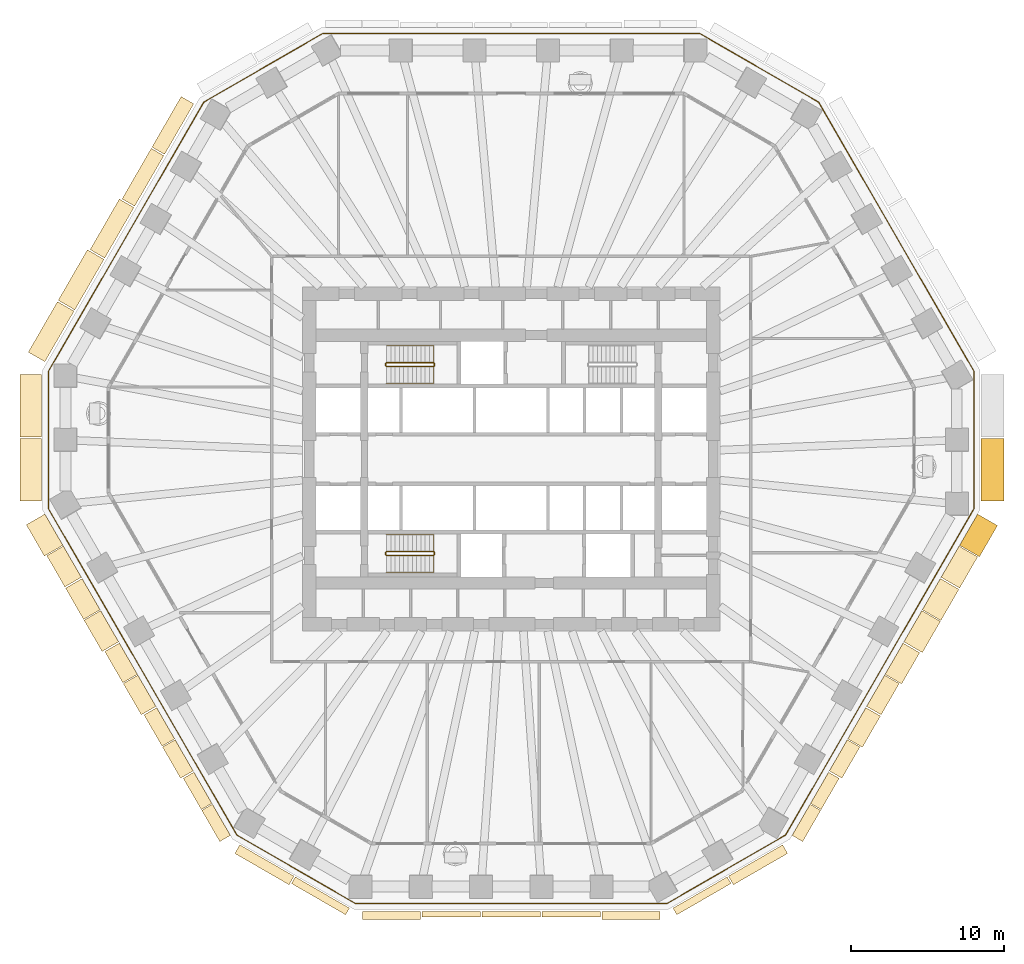
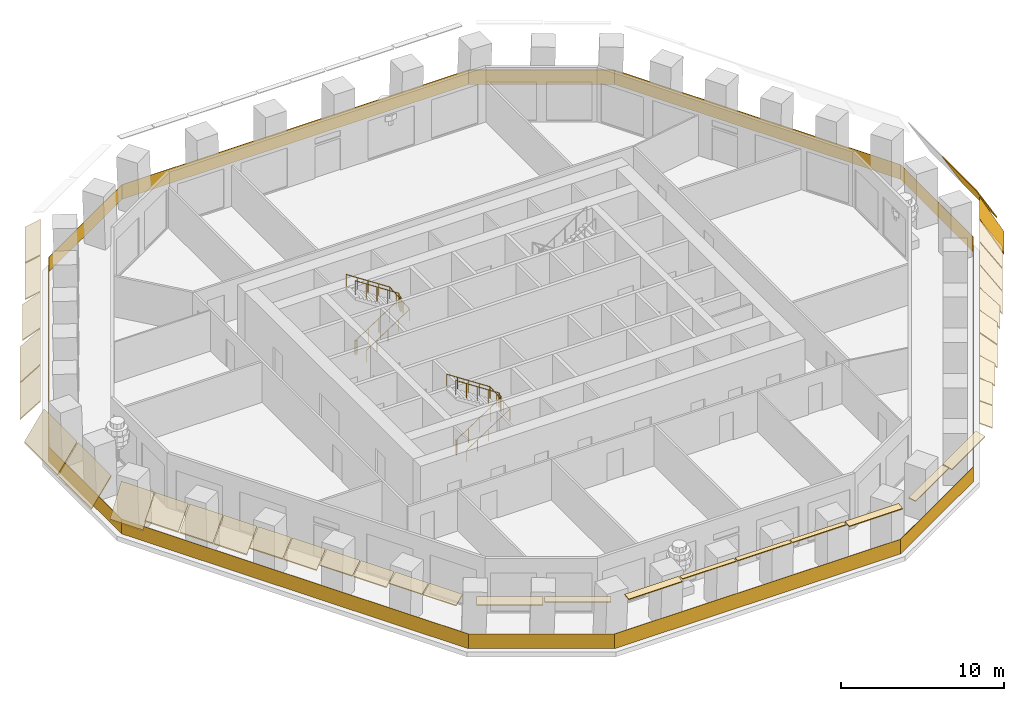
# One storey, part 9 of 12: 37 coverings, 5 railings.
"""IFC4 building model written with IfcOpenShell, lengths in metres."""

from ifc_helpers import new_model, si_unit, direction, frame, origin, origin_2d, place, context, subcontext, project, spatial, polyline, rectangle, circle, outline, extrude, material, layer, layer_set, type_object, element, save


model = new_model("IFC4")

# Units and contexts
model_context = context("Model", 3, precision=1e-05, world=origin(), true_north=direction((0.0, 1.0)))
body_context = subcontext(model_context, "Body", "Model", "MODEL_VIEW")
ifc_project = project(units=[si_unit("LENGTHUNIT", "METRE"), si_unit("AREAUNIT", "SQUARE_METRE"), si_unit("VOLUMEUNIT", "CUBIC_METRE"), si_unit("PLANEANGLEUNIT", "RADIAN"), si_unit("MASSUNIT", "GRAM", prefix="KILO")], contexts=[model_context])

# Site, building, storey
site_placement = place(None, origin())
site = spatial("IfcSite", under=ifc_project, at=site_placement, CompositionType="ELEMENT")
building_placement = place(site_placement, origin())
building = spatial("IfcBuilding", under=site, at=building_placement, Name="Frailejon Research Tower", CompositionType="ELEMENT")
storey_placement = place(building_placement, frame((0.0, 0.0, 54.199951171875)))
storey = spatial("IfcBuildingStorey", under=building, at=storey_placement, Name="L12", CompositionType="ELEMENT", Elevation=54.199951171875)

# Coverings
ifc_material_1 = material(Name="Precast concrete C50/60", Category="concrete")
ifc_layer_1 = layer(ifc_material_1, 0.06005859375)
ifc_layer_set_1 = layer_set([ifc_layer_1], Name="Brim blade depth 1100")
covering_type_1 = type_object("IfcCoveringType", Name="Brim blade depth 1100", PredefinedType="CLADDING", material=ifc_layer_set_1)
covering_1_placement = place(storey_placement, frame((-26.572509765625, 13.140380859375, 4.25), z_axis=(0.500001217064, 0.866024701111, 0.0), x_axis=(-0.866024701111, 0.500001217064, 0.0)))
element("IfcCovering", 1, at=covering_1_placement, inside=storey, type_object=covering_type_1, Name="Brim blade L12", PredefinedType="CLADDING", context=body_context, shape_type="SweptSolid", body=[
    extrude(outline(polyline([(0.0, -0.078369140625), (1.10009765625, -1.001220703125), (1.10009765625, -0.923095703125), (0.0, 0.0), (0.0, -0.078369140625)])), origin(), (0.0, 0.0, 1.0), 3.8125),
])
for number, where, z_axis, x_axis, name in (
    (2, (-24.43701171875, -14.073974609375, 4.25), (-0.50000563012, 0.866022153209, 0.0), (-0.866022153209, -0.50000563012, 0.0), "Brim blade L12"),
    (3, (-23.229248046875, -16.165771484375, 4.25), (-0.50000563012, 0.866022153209, 0.0), (-0.866022153209, -0.50000563012, 0.0), "Brim blade L12"),
    (4, (23.17919921875, -16.252197265625, 4.25), (-0.499996739973, -0.866027285954, 0.0), (0.866027285954, -0.499996739973, 0.0), "Brim blade L12"),
    (5, (24.406982421875, -14.1259765625, 4.25), (-0.50000563012, -0.866022153209, 0.0), (0.866022153209, -0.50000563012, 0.0), "Brim blade L12"),
):
    element("IfcCovering", number, at=place(storey_placement, frame(where, z_axis=z_axis, x_axis=x_axis)), inside=storey, type_object=covering_type_1, Name=name, PredefinedType="CLADDING", context=body_context, shape_type="SweptSolid", body=[
        extrude(outline(polyline([(0.0, -0.078369140625), (1.10009765625, -1.001220703125), (1.10009765625, -0.923095703125), (0.0, 0.0), (0.0, -0.078369140625)])), origin(), (0.0, 0.0, 1.0), 2.355224609375),
    ])
ifc_material_2 = material(Name="Precast concrete C50/60", Category="concrete")
ifc_layer_2 = layer(ifc_material_2, 0.06005859375)
ifc_layer_set_2 = layer_set([ifc_layer_2], Name="Brim blade depth 1250")
covering_type_2 = type_object("IfcCoveringType", Name="Brim blade depth 1250", PredefinedType="CLADDING", material=ifc_layer_set_2)
covering_2_placement = place(storey_placement, frame((-28.52880859375, 9.751953125, 4.25), z_axis=(0.499990149831, 0.866031090707, 0.0), x_axis=(-0.866031090707, 0.499990149831, 0.0)))
element("IfcCovering", 6, at=covering_2_placement, inside=storey, type_object=covering_type_2, Name="Brim blade L12", PredefinedType="CLADDING", context=body_context, shape_type="SweptSolid", body=[
    extrude(outline(polyline([(0.0, -0.0888671875), (1.25, -1.452880859375), (1.25, -1.364013671875), (0.0, 0.0), (0.0, -0.0888671875)])), origin(), (0.0, 0.0, 1.0), 3.812744140625),
])
covering_3_placement = place(storey_placement, frame((-30.485107421875, 6.363525390625, 4.25), z_axis=(0.500001217064, 0.866024701111, 0.0), x_axis=(-0.866024701111, 0.500001217064, 0.0)))
element("IfcCovering", 7, at=covering_3_placement, inside=storey, type_object=covering_type_2, Name="Brim blade L12", PredefinedType="CLADDING", context=body_context, shape_type="SweptSolid", body=[
    extrude(outline(polyline([(0.0, -0.0888671875), (1.25, -1.452880859375), (1.25, -1.364013671875), (0.0, 0.0), (0.0, -0.0888671875)])), origin(), (0.0, 0.0, 1.0), 3.8125),
])
for number, where, z_axis, x_axis, name in (
    (8, (-28.099853515625, -7.7294921875, 4.25), (-0.499996739973, 0.866027285954, 0.0), (-0.866027285954, -0.499996739973, 0.0), "Brim blade L12"),
    (9, (-26.872314453125, -9.85595703125, 4.25), (-0.499996739973, 0.866027285954, 0.0), (-0.866027285954, -0.499996739973, 0.0), "Brim blade L12"),
    (10, (-25.66455078125, -11.94775390625, 4.25), (-0.499996739973, 0.866027285954, 0.0), (-0.866027285954, -0.499996739973, 0.0), "Brim blade L12"),
    (11, (25.614501953125, -12.0341796875, 4.25), (-0.50000563012, -0.866022153209, 0.0), (0.866022153209, -0.50000563012, 0.0), "Brim blade L12"),
):
    element("IfcCovering", number, at=place(storey_placement, frame(where, z_axis=z_axis, x_axis=x_axis)), inside=storey, type_object=covering_type_2, Name=name, PredefinedType="CLADDING", context=body_context, shape_type="SweptSolid", body=[
        extrude(outline(polyline([(0.0, -0.0888671875), (1.25, -1.452880859375), (1.25, -1.364013671875), (0.0, 0.0), (0.0, -0.0888671875)])), origin(), (0.0, 0.0, 1.0), 2.355224609375),
    ])
ifc_material_3 = material(Name="Precast concrete C50/60", Category="concrete")
ifc_layer_3 = layer(ifc_material_3, 0.06005859375)
ifc_layer_set_3 = layer_set([ifc_layer_3], Name="Brim blade depth 1400")
covering_type_3 = type_object("IfcCoveringType", Name="Brim blade depth 1400", PredefinedType="CLADDING", material=ifc_layer_set_3)
covering_4_placement = place(storey_placement, frame((-30.711181640625, 1.432861328125, 4.25), z_axis=(0.0, 1.0, 0.0), x_axis=(-1.0, 0.0, 0.0)))
element("IfcCovering", 12, at=covering_4_placement, inside=storey, type_object=covering_type_3, Name="Brim blade L12", PredefinedType="CLADDING", context=body_context, shape_type="SweptSolid", body=[
    extrude(outline(polyline([(0.0, -0.1044921875), (1.39990234375, -2.10400390625), (1.39990234375, -1.99951171875), (0.0, 0.0), (0.0, -0.1044921875)])), origin(), (0.0, 0.0, 1.0), 4.08740234375),
])
covering_5_placement = place(storey_placement, frame((-30.711181640625, -2.7548828125, 4.25), z_axis=(0.0, 1.0, 0.0), x_axis=(-1.0, 0.0, 0.0)))
element("IfcCovering", 13, at=covering_5_placement, inside=storey, type_object=covering_type_3, Name="Brim blade L12", PredefinedType="CLADDING", context=body_context, shape_type="SweptSolid", body=[
    extrude(outline(polyline([(0.0, -0.1044921875), (1.39990234375, -2.10400390625), (1.39990234375, -1.99951171875), (0.0, 0.0), (0.0, -0.1044921875)])), origin(), (0.0, 0.0, 1.0), 4.087646484375),
])
for number, where, z_axis, x_axis, name in (
    (14, (-29.3076171875, -5.637939453125, 4.25), (-0.499996739973, 0.866027285954, 0.0), (-0.866027285954, -0.499996739973, 0.0), "Brim blade L12"),
    (15, (26.84228515625, -9.907958984375, 4.25), (-0.499996739973, -0.866027285954, 0.0), (0.866027285954, -0.499996739973, 0.0), "Brim blade L12"),
    (16, (28.0498046875, -7.816162109375, 4.25), (-0.499996739973, -0.866027285954, 0.0), (0.866027285954, -0.499996739973, 0.0), "Brim blade L12"),
    (17, (29.277587890625, -5.689697265625, 4.25), (-0.499996739973, -0.866027285954, 0.0), (0.866027285954, -0.499996739973, 0.0), "Brim blade L12"),
):
    element("IfcCovering", number, at=place(storey_placement, frame(where, z_axis=z_axis, x_axis=x_axis)), inside=storey, type_object=covering_type_3, Name=name, PredefinedType="CLADDING", context=body_context, shape_type="SweptSolid", body=[
        extrude(outline(polyline([(0.0, -0.1044921875), (1.39990234375, -2.10400390625), (1.39990234375, -1.99951171875), (0.0, 0.0), (0.0, -0.1044921875)])), origin(), (0.0, 0.0, 1.0), 2.355224609375),
    ])
ifc_material_4 = material(Name="Precast concrete C50/60", Category="concrete")
ifc_layer_4 = layer(ifc_material_4, 0.06005859375)
ifc_layer_set_4 = layer_set([ifc_layer_4], Name="Brim blade depth 1500")
covering_type_4 = type_object("IfcCoveringType", Name="Brim blade depth 1500", PredefinedType="CLADDING", material=ifc_layer_set_4)
covering_6_placement = place(storey_placement, frame((30.711181640625, 1.332763671875, 4.25), z_axis=(0.0, -1.0, 0.0), x_axis=(1.0, 0.0, 0.0)))
element("IfcCovering", 18, at=covering_6_placement, inside=storey, type_object=covering_type_4, Name="Brim blade L12", PredefinedType="CLADDING", context=body_context, shape_type="SweptSolid", body=[
    extrude(outline(polyline([(0.0, -0.1201171875), (1.5, -2.718017578125), (1.5, -2.59814453125), (0.0, 0.0), (0.0, -0.1201171875)])), origin(), (0.0, 0.0, 1.0), 4.087646484375),
])
covering_7_placement = place(storey_placement, frame((30.485107421875, -3.59814453125, 4.25), z_axis=(-0.499996739973, -0.866027285954, 0.0), x_axis=(0.866027285954, -0.499996739973, 0.0)))
element("IfcCovering", 19, at=covering_7_placement, inside=storey, type_object=covering_type_4, Name="Brim blade L12", PredefinedType="CLADDING", context=body_context, shape_type="SweptSolid", body=[
    extrude(outline(polyline([(0.0, -0.1201171875), (1.5, -2.718017578125), (1.5, -2.59814453125), (0.0, 0.0), (0.0, -0.1201171875)])), origin(), (0.0, 0.0, 1.0), 2.355224609375),
])
ifc_material_5 = material(Name="Precast concrete C50/60", Category="concrete")
ifc_layer_5 = layer(ifc_material_5, 0.06005859375)
ifc_layer_set_5 = layer_set([ifc_layer_5], Name="Brim blade depth 350")
covering_type_5 = type_object("IfcCoveringType", Name="Brim blade depth 350", PredefinedType="CLADDING", material=ifc_layer_set_5)
for number, where, z_axis, x_axis, name in (
    (20, (-2.00634765625, -29.582763671875, 4.25), (-1.0, 0.0, 0.0), (0.0, -1.0, 0.0), "Brim blade L12"),
    (21, (1.90625, -29.582763671875, 4.25), (-1.0, 0.0, 0.0), (0.0, -1.0, 0.0), "Brim blade L12"),
    (22, (5.81884765625, -29.582763671875, 4.25), (-1.0, 0.0, 0.0), (0.0, -1.0, 0.0), "Brim blade L12"),
):
    element("IfcCovering", number, at=place(storey_placement, frame(where, z_axis=z_axis, x_axis=x_axis)), inside=storey, type_object=covering_type_5, Name=name, PredefinedType="CLADDING", context=body_context, shape_type="SweptSolid", body=[
        extrude(outline(polyline([(0.0, -0.06005859375), (0.35009765625, -0.06005859375), (0.35009765625, 0.0), (0.0, 0.0), (0.0, -0.06005859375)])), origin(), (0.0, 0.0, 1.0), 3.8125),
    ])
ifc_material_6 = material(Name="Precast concrete C50/60", Category="concrete")
ifc_layer_6 = layer(ifc_material_6, 0.06005859375)
ifc_layer_set_6 = layer_set([ifc_layer_6], Name="Brim blade depth 500")
covering_type_6 = type_object("IfcCoveringType", Name="Brim blade depth 500", PredefinedType="CLADDING", material=ifc_layer_set_6)
covering_8_placement = place(storey_placement, frame((-10.57470703125, -29.356689453125, 4.25), z_axis=(-0.866027315287, 0.499996689166, 0.0), x_axis=(-0.499996689166, -0.866027315287, 0.0)))
element("IfcCovering", 23, at=covering_8_placement, inside=storey, type_object=covering_type_6, Name="Brim blade L12", PredefinedType="CLADDING", context=body_context, shape_type="SweptSolid", body=[
    extrude(outline(polyline([(0.0, -0.060546875), (0.5, -0.130859375), (0.5, -0.0703125), (0.0, 0.0), (0.0, -0.060546875)])), origin(), (0.0, 0.0, 1.0), 4.087646484375),
])
for number, where, z_axis, x_axis, name in (
    (24, (-5.9189453125, -29.582763671875, 4.25), (-1.0, 0.0, 0.0), (0.0, -1.0, 0.0), "Brim blade L12"),
    (25, (9.7314453125, -29.582763671875, 4.25), (-1.0, 0.0, 0.0), (0.0, -1.0, 0.0), "Brim blade L12"),
):
    element("IfcCovering", number, at=place(storey_placement, frame(where, z_axis=z_axis, x_axis=x_axis)), inside=storey, type_object=covering_type_6, Name=name, PredefinedType="CLADDING", context=body_context, shape_type="SweptSolid", body=[
        extrude(outline(polyline([(0.0, -0.060546875), (0.5, -0.130859375), (0.5, -0.0703125), (0.0, 0.0), (0.0, -0.060546875)])), origin(), (0.0, 0.0, 1.0), 3.8125),
    ])
covering_9_placement = place(storey_placement, frame((14.11474609375, -27.31298828125, 4.25), z_axis=(-0.866027315287, -0.499996689166, 0.0), x_axis=(0.499996689166, -0.866027315287, 0.0)))
element("IfcCovering", 26, at=covering_9_placement, inside=storey, type_object=covering_type_6, Name="Brim blade L12", PredefinedType="CLADDING", context=body_context, shape_type="SweptSolid", body=[
    extrude(outline(polyline([(0.0, -0.060546875), (0.5, -0.130859375), (0.5, -0.0703125), (0.0, 0.0), (0.0, -0.060546875)])), origin(), (0.0, 0.0, 1.0), 4.087646484375),
])
ifc_material_7 = material(Name="Precast concrete C50/60", Category="concrete")
ifc_layer_7 = layer(ifc_material_7, 0.06005859375)
ifc_layer_set_7 = layer_set([ifc_layer_7], Name="Brim blade depth 650")
covering_type_7 = type_object("IfcCoveringType", Name="Brim blade depth 650", PredefinedType="CLADDING", material=ifc_layer_set_7)
for number, where, z_axis, x_axis, name in (
    (27, (-14.201416015625, -27.262939453125, 4.25), (-0.866021344981, 0.500007029989, 0.0), (-0.500007029989, -0.866021344981, 0.0), "Brim blade L12"),
    (28, (17.7412109375, -25.21923828125, 4.25), (-0.866021344981, -0.500007029989, 0.0), (0.500007029989, -0.866021344981, 0.0), "Brim blade L12"),
):
    element("IfcCovering", number, at=place(storey_placement, frame(where, z_axis=z_axis, x_axis=x_axis)), inside=storey, type_object=covering_type_7, Name=name, PredefinedType="CLADDING", context=body_context, shape_type="SweptSolid", body=[
        extrude(outline(polyline([(0.0, -0.0625), (0.64990234375, -0.248779296875), (0.64990234375, -0.186279296875), (0.0, 0.0), (0.0, -0.0625)])), origin(), (0.0, 0.0, 1.0), 4.08740234375),
    ])
ifc_material_8 = material(Name="Precast concrete C50/60", Category="concrete")
ifc_layer_8 = layer(ifc_material_8, 0.06005859375)
ifc_layer_set_8 = layer_set([ifc_layer_8], Name="Brim blade depth 800")
covering_type_8 = type_object("IfcCoveringType", Name="Brim blade depth 800", PredefinedType="CLADDING", material=ifc_layer_set_8)
for number, where, z_axis, x_axis, name in (
    (29, (-19.56640625, -22.51025390625, 4.25), (-0.499996739973, 0.866027285954, 0.0), (-0.866027285954, -0.499996739973, 0.0), "Brim blade L12"),
    (30, (-18.358642578125, -24.601806640625, 4.25), (-0.499996739973, 0.866027285954, 0.0), (-0.866027285954, -0.499996739973, 0.0), "Brim blade L12"),
    (31, (19.536376953125, -22.56201171875, 4.25), (-0.499996739973, -0.866027285954, 0.0), (0.866027285954, -0.499996739973, 0.0), "Brim blade L12"),
    (32, (20.743896484375, -20.470458984375, 4.25), (-0.499996739973, -0.866027285954, 0.0), (0.866027285954, -0.499996739973, 0.0), "Brim blade L12"),
):
    element("IfcCovering", number, at=place(storey_placement, frame(where, z_axis=z_axis, x_axis=x_axis)), inside=storey, type_object=covering_type_8, Name=name, PredefinedType="CLADDING", context=body_context, shape_type="SweptSolid", body=[
        extrude(outline(polyline([(0.0, -0.065673828125), (0.800048828125, -0.421875), (0.800048828125, -0.356201171875), (0.0, 0.0), (0.0, -0.065673828125)])), origin(), (0.0, 0.0, 1.0), 2.355224609375),
    ])
ifc_material_9 = material(Name="Precast concrete C50/60", Category="concrete")
ifc_layer_9 = layer(ifc_material_9, 0.06005859375)
ifc_layer_set_9 = layer_set([ifc_layer_9], Name="Brim blade depth 950")
covering_type_9 = type_object("IfcCoveringType", Name="Brim blade depth 950", PredefinedType="CLADDING", material=ifc_layer_set_9)
for number, where, z_axis, x_axis, name in (
    (33, (-22.659912109375, 19.917236328125, 4.25), (0.500001217064, 0.866024701111, 0.0), (-0.866024701111, 0.500001217064, 0.0), "Brim blade L12"),
    (34, (-24.6162109375, 16.52880859375, 4.25), (0.500001217064, 0.866024701111, 0.0), (-0.866024701111, 0.500001217064, 0.0), "Brim blade L12"),
):
    element("IfcCovering", number, at=place(storey_placement, frame(where, z_axis=z_axis, x_axis=x_axis)), inside=storey, type_object=covering_type_9, Name=name, PredefinedType="CLADDING", context=body_context, shape_type="SweptSolid", body=[
        extrude(outline(polyline([(0.0, -0.07080078125), (0.949951171875, -0.664306640625), (0.949951171875, -0.593505859375), (0.0, 0.0), (0.0, -0.07080078125)])), origin(), (0.0, 0.0, 1.0), 3.8125),
    ])
for number, where, z_axis, x_axis, name in (
    (35, (-22.001708984375, -18.2919921875, 4.25), (-0.499996739973, 0.866027285954, 0.0), (-0.866027285954, -0.499996739973, 0.0), "Brim blade L12"),
    (36, (-20.7939453125, -20.3837890625, 4.25), (-0.499996739973, 0.866027285954, 0.0), (-0.866027285954, -0.499996739973, 0.0), "Brim blade L12"),
    (37, (21.9716796875, -18.343994140625, 4.25), (-0.499996739973, -0.866027285954, 0.0), (0.866027285954, -0.499996739973, 0.0), "Brim blade L12"),
):
    element("IfcCovering", number, at=place(storey_placement, frame(where, z_axis=z_axis, x_axis=x_axis)), inside=storey, type_object=covering_type_9, Name=name, PredefinedType="CLADDING", context=body_context, shape_type="SweptSolid", body=[
        extrude(outline(polyline([(0.0, -0.07080078125), (0.949951171875, -0.664306640625), (0.949951171875, -0.593505859375), (0.0, 0.0), (0.0, -0.07080078125)])), origin(), (0.0, 0.0, 1.0), 2.355224609375),
    ])

# Railings
ifc_material_10 = material(Name="Laminated glass balustrade", Category="glass")
railing_type_1 = type_object("IfcRailingType", Name="Glass guard 1100", PredefinedType="GUARDRAIL", material=ifc_material_10)
railing_1_placement = place(storey_placement, frame((30.252197265625, -3.243408203125, 0.0)))
element("IfcRailing", 38, at=railing_1_placement, inside=storey, type_object=railing_type_1, Name="Loggia guard L12", PredefinedType="GUARDRAIL", context=body_context, shape_type="SweptSolid", body=[
    extrude(rectangle(XDim=8.975830078125, YDim=0.030029296875, at=origin_2d()), frame((0.0, 4.48779296875, 0.0), z_axis=(0.0, 0.0, 1.0), x_axis=(0.0, 1.0, 0.0)), (0.0, 0.0, 1.0), 1.10009765625),
    extrude(rectangle(XDim=20.323486328125, YDim=0.030029296875, at=origin_2d()), frame((-5.0810546875, 17.776123046875, 0.0), z_axis=(0.0, 0.0, 1.0), x_axis=(-0.500005985875, 0.86602194781, 0.0)), (0.0, 0.0, 1.0), 1.10009765625),
    extrude(rectangle(XDim=8.9755859375, YDim=0.030029296875, at=origin_2d()), frame((-14.04833984375, 28.8203125, 0.0), z_axis=(0.0, 0.0, 1.0), x_axis=(-0.866028409771, 0.499994793442, 0.0)), (0.0, 0.0, 1.0), 1.10009765625),
    extrude(rectangle(XDim=24.63427734375, YDim=0.030029296875, at=origin_2d()), frame((-30.252197265625, 31.064208984375, 0.0), z_axis=(0.0, 0.0, 1.0), x_axis=(-1.0, 0.0, 0.0)), (0.0, 0.0, 1.0), 1.10009765625),
    extrude(rectangle(XDim=8.9755859375, YDim=0.030029296875, at=origin_2d()), frame((-46.4560546875, 28.8203125, 0.0), z_axis=(0.0, 0.0, 1.0), x_axis=(-0.866028409771, -0.499994793442, 0.0)), (0.0, 0.0, 1.0), 1.10009765625),
    extrude(rectangle(XDim=20.323486328125, YDim=0.030029296875, at=origin_2d()), frame((-55.42333984375, 17.776123046875, 0.0), z_axis=(0.0, 0.0, 1.0), x_axis=(-0.500005985875, -0.86602194781, 0.0)), (0.0, 0.0, 1.0), 1.10009765625),
    extrude(rectangle(XDim=8.975830078125, YDim=0.030029296875, at=origin_2d()), frame((-60.50439453125, 4.48779296875, 0.0), z_axis=(0.0, 0.0, 1.0), x_axis=(0.0, -1.0, 0.0)), (0.0, 0.0, 1.0), 1.10009765625),
    extrude(rectangle(XDim=24.634521484375, YDim=0.030029296875, at=origin_2d()), frame((-54.345703125, -10.6669921875, 0.0), z_axis=(0.0, 0.0, 1.0), x_axis=(0.500006125269, -0.86602186733, 0.0)), (0.0, 0.0, 1.0), 1.10009765625),
    extrude(rectangle(XDim=8.9755859375, YDim=0.030029296875, at=origin_2d()), frame((-44.30029296875, -23.577880859375, 0.0), z_axis=(0.0, 0.0, 1.0), x_axis=(0.866028409771, -0.499994793442, 0.0)), (0.0, 0.0, 1.0), 1.10009765625),
    extrude(rectangle(XDim=20.3232421875, YDim=0.030029296875, at=origin_2d()), frame((-30.252197265625, -25.82177734375, 0.0), z_axis=(0.0, 0.0, 1.0), x_axis=(1.0, 0.0, 0.0)), (0.0, 0.0, 1.0), 1.10009765625),
    extrude(rectangle(XDim=8.9755859375, YDim=0.030029296875, at=origin_2d()), frame((-16.2041015625, -23.577880859375, 0.0), z_axis=(0.0, 0.0, 1.0), x_axis=(0.866028409771, 0.499994793442, 0.0)), (0.0, 0.0, 1.0), 1.10009765625),
    extrude(rectangle(XDim=24.564453125, YDim=0.030029296875, at=origin_2d()), frame((-6.17626953125, -10.697265625, 0.0), z_axis=(0.0, 0.0, 1.0), x_axis=(0.50000005176, 0.866025373901, 0.0)), (0.0, 0.0, 1.0), 1.10009765625),
])
ifc_material_11 = material(Name="Stainless steel", Category="steel")
railing_type_2 = type_object("IfcRailingType", Name="Stair guard 1100", PredefinedType="GUARDRAIL", material=ifc_material_11)
railing_2_placement = place(storey_placement, frame((-8.199951171875, 6.25, 0.0)))
element("IfcRailing", 39, at=railing_2_placement, inside=storey, type_object=railing_type_2, Name="L12 ST1 stair guard 1", PredefinedType="GUARDRAIL", context=body_context, shape_type="SweptSolid", body=[
    extrude(circle(Radius=0.02392578125, at=origin_2d()), frame((0.0, 0.0, 1.076171875), z_axis=(0.0, -1.0, 0.0), x_axis=(1.0, 0.0, 0.0)), (0.0, 0.0, 1.0), 0.14990234375),
    extrude(circle(Radius=0.02392578125, at=origin_2d()), frame((0.0, -0.14990234375, 1.076171875), z_axis=(0.254653276557, -0.254653276557, 0.932900539971), x_axis=(0.707106781187, 0.707106781187, 0.0)), (0.0, 0.0, 1.0), 0.196533203125),
    extrude(circle(Radius=0.02392578125, at=origin_2d()), frame((0.050048828125, -0.199951171875, 1.25927734375), z_axis=(0.836613101238, 0.0, 0.547794230379), x_axis=(0.0, 1.0, 0.0)), (0.0, 0.0, 1.0), 3.681396484375),
    extrude(circle(Radius=0.02392578125, at=origin_2d()), frame((3.1298828125, -0.199951171875, 3.27587890625), z_axis=(0.707106781187, 0.707106781187, 0.0), x_axis=(-0.707106781187, 0.707106781187, 0.0)), (0.0, 0.0, 1.0), 0.07080078125),
    extrude(circle(Radius=0.02392578125, at=origin_2d()), frame((3.179931640625, -0.14990234375, 3.27587890625), z_axis=(0.0, 1.0, 0.0), x_axis=(-1.0, 0.0, 0.0)), (0.0, 0.0, 1.0), 0.14990234375),
    extrude(circle(Radius=0.02392578125, at=origin_2d()), frame((3.179931640625, 0.0, 3.27587890625), z_axis=(-0.254653276557, 0.254653276557, 0.932900539971), x_axis=(-0.707106781187, -0.707106781187, 0.0)), (0.0, 0.0, 1.0), 0.196533203125),
    extrude(circle(Radius=0.02392578125, at=origin_2d()), frame((3.1298828125, 0.050048828125, 3.45947265625), z_axis=(-0.836582707638, 0.0, 0.547840645882), x_axis=(0.0, -1.0, 0.0)), (0.0, 0.0, 1.0), 3.681396484375),
    extrude(circle(Radius=0.02099609375, at=origin_2d()), origin(), (0.0, 0.0, 1.0), 1.052001953125),
    extrude(circle(Radius=0.02099609375, at=origin_2d()), frame((0.0, -0.14990234375, 0.0)), (0.0, 0.0, 1.0), 1.052001953125),
    extrude(circle(Radius=0.02099609375, at=origin_2d()), frame((0.050048828125, -0.199951171875, 0.183349609375)), (0.0, 0.0, 1.0), 1.052001953125),
    extrude(circle(Radius=0.02099609375, at=origin_2d()), frame((0.820068359375, -0.199951171875, 0.6875)), (0.0, 0.0, 1.0), 1.052001953125),
    extrude(circle(Radius=0.02099609375, at=origin_2d()), frame((1.58984375, -0.199951171875, 1.191650390625)), (0.0, 0.0, 1.0), 1.052001953125),
    extrude(circle(Radius=0.02099609375, at=origin_2d()), frame((2.35986328125, -0.199951171875, 1.69580078125)), (0.0, 0.0, 1.0), 1.052001953125),
    extrude(circle(Radius=0.02099609375, at=origin_2d()), frame((3.1298828125, -0.199951171875, 2.199951171875)), (0.0, 0.0, 1.0), 1.052001953125),
    extrude(circle(Radius=0.02099609375, at=origin_2d()), frame((3.179931640625, -0.14990234375, 2.199951171875)), (0.0, 0.0, 1.0), 1.052001953125),
    extrude(circle(Radius=0.02099609375, at=origin_2d()), frame((3.179931640625, 0.0, 2.199951171875)), (0.0, 0.0, 1.0), 1.052001953125),
    extrude(circle(Radius=0.02099609375, at=origin_2d()), frame((3.1298828125, 0.050048828125, 2.38330078125)), (0.0, 0.0, 1.0), 1.052001953125),
    extrude(circle(Radius=0.02099609375, at=origin_2d()), frame((2.35986328125, 0.050048828125, 2.887451171875)), (0.0, 0.0, 1.0), 1.052001953125),
    extrude(circle(Radius=0.02099609375, at=origin_2d()), frame((1.58984375, 0.050048828125, 3.3916015625)), (0.0, 0.0, 1.0), 1.052001953125),
    extrude(circle(Radius=0.02099609375, at=origin_2d()), frame((0.820068359375, 0.050048828125, 3.89599609375)), (0.0, 0.0, 1.0), 1.052001953125),
    extrude(circle(Radius=0.02099609375, at=origin_2d()), frame((0.050048828125, 0.050048828125, 4.400146484375)), (0.0, 0.0, 1.0), 1.052001953125),
])
railing_3_placement = place(storey_placement, frame((-8.199951171875, -6.10009765625, 0.0)))
element("IfcRailing", 40, at=railing_3_placement, inside=storey, type_object=railing_type_2, Name="L12 ST2 stair guard 1", PredefinedType="GUARDRAIL", context=body_context, shape_type="SweptSolid", body=[
    extrude(circle(Radius=0.02392578125, at=origin_2d()), frame((0.0, 0.0, 1.076171875), z_axis=(0.0, -1.0, 0.0), x_axis=(1.0, 0.0, 0.0)), (0.0, 0.0, 1.0), 0.14990234375),
    extrude(circle(Radius=0.02392578125, at=origin_2d()), frame((0.0, -0.14990234375, 1.076171875), z_axis=(0.254653276557, -0.254653276557, 0.932900539971), x_axis=(0.707106781187, 0.707106781187, 0.0)), (0.0, 0.0, 1.0), 0.196533203125),
    extrude(circle(Radius=0.02392578125, at=origin_2d()), frame((0.050048828125, -0.199951171875, 1.25927734375), z_axis=(0.836613101238, 0.0, 0.547794230379), x_axis=(0.0, 1.0, 0.0)), (0.0, 0.0, 1.0), 3.681396484375),
    extrude(circle(Radius=0.02392578125, at=origin_2d()), frame((3.1298828125, -0.199951171875, 3.27587890625), z_axis=(0.707106781187, 0.707106781187, 0.0), x_axis=(-0.707106781187, 0.707106781187, 0.0)), (0.0, 0.0, 1.0), 0.07080078125),
    extrude(circle(Radius=0.02392578125, at=origin_2d()), frame((3.179931640625, -0.14990234375, 3.27587890625), z_axis=(0.0, 1.0, 0.0), x_axis=(-1.0, 0.0, 0.0)), (0.0, 0.0, 1.0), 0.14990234375),
    extrude(circle(Radius=0.02392578125, at=origin_2d()), frame((3.179931640625, 0.0, 3.27587890625), z_axis=(-0.254653276557, 0.254653276557, 0.932900539971), x_axis=(-0.707106781187, -0.707106781187, 0.0)), (0.0, 0.0, 1.0), 0.196533203125),
    extrude(circle(Radius=0.02392578125, at=origin_2d()), frame((3.1298828125, 0.050048828125, 3.45947265625), z_axis=(-0.836582707638, 0.0, 0.547840645882), x_axis=(0.0, -1.0, 0.0)), (0.0, 0.0, 1.0), 3.681396484375),
    extrude(circle(Radius=0.02099609375, at=origin_2d()), origin(), (0.0, 0.0, 1.0), 1.052001953125),
    extrude(circle(Radius=0.02099609375, at=origin_2d()), frame((0.0, -0.14990234375, 0.0)), (0.0, 0.0, 1.0), 1.052001953125),
    extrude(circle(Radius=0.02099609375, at=origin_2d()), frame((0.050048828125, -0.199951171875, 0.183349609375)), (0.0, 0.0, 1.0), 1.052001953125),
    extrude(circle(Radius=0.02099609375, at=origin_2d()), frame((0.820068359375, -0.199951171875, 0.6875)), (0.0, 0.0, 1.0), 1.052001953125),
    extrude(circle(Radius=0.02099609375, at=origin_2d()), frame((1.58984375, -0.199951171875, 1.191650390625)), (0.0, 0.0, 1.0), 1.052001953125),
    extrude(circle(Radius=0.02099609375, at=origin_2d()), frame((2.35986328125, -0.199951171875, 1.69580078125)), (0.0, 0.0, 1.0), 1.052001953125),
    extrude(circle(Radius=0.02099609375, at=origin_2d()), frame((3.1298828125, -0.199951171875, 2.199951171875)), (0.0, 0.0, 1.0), 1.052001953125),
    extrude(circle(Radius=0.02099609375, at=origin_2d()), frame((3.179931640625, -0.14990234375, 2.199951171875)), (0.0, 0.0, 1.0), 1.052001953125),
    extrude(circle(Radius=0.02099609375, at=origin_2d()), frame((3.179931640625, 0.0, 2.199951171875)), (0.0, 0.0, 1.0), 1.052001953125),
    extrude(circle(Radius=0.02099609375, at=origin_2d()), frame((3.1298828125, 0.050048828125, 2.38330078125)), (0.0, 0.0, 1.0), 1.052001953125),
    extrude(circle(Radius=0.02099609375, at=origin_2d()), frame((2.35986328125, 0.050048828125, 2.887451171875)), (0.0, 0.0, 1.0), 1.052001953125),
    extrude(circle(Radius=0.02099609375, at=origin_2d()), frame((1.58984375, 0.050048828125, 3.3916015625)), (0.0, 0.0, 1.0), 1.052001953125),
    extrude(circle(Radius=0.02099609375, at=origin_2d()), frame((0.820068359375, 0.050048828125, 3.89599609375)), (0.0, 0.0, 1.0), 1.052001953125),
    extrude(circle(Radius=0.02099609375, at=origin_2d()), frame((0.050048828125, 0.050048828125, 4.400146484375)), (0.0, 0.0, 1.0), 1.052001953125),
])
ifc_material_12 = material(Name="Stainless steel", Category="steel")
railing_type_3 = type_object("IfcRailingType", Name="Stair handrail 900", PredefinedType="HANDRAIL", material=ifc_material_12)
railing_4_placement = place(storey_placement, frame((-8.14990234375, 4.949951171875, 0.183349609375)))
element("IfcRailing", 41, at=railing_4_placement, inside=storey, type_object=railing_type_3, Name="L12 ST1 stair handrail 1", PredefinedType="HANDRAIL", context=body_context, shape_type="SweptSolid", body=[
    extrude(circle(Radius=0.02392578125, at=origin_2d()), frame((0.0, 0.0, 0.8759765625), z_axis=(0.836613101238, 0.0, 0.547794230379), x_axis=(0.0, 1.0, 0.0)), (0.0, 0.0, 1.0), 3.681396484375),
    extrude(circle(Radius=0.02392578125, at=origin_2d()), frame((3.079833984375, 0.0, 2.892578125), z_axis=(0.0, 0.99721134034, 0.074629368868), x_axis=(-1.0, 0.0, 0.0)), (0.0, 0.0, 1.0), 2.456787109375),
    extrude(circle(Radius=0.02392578125, at=origin_2d()), frame((3.079833984375, 2.449951171875, 3.07568359375), z_axis=(-0.836582707638, 0.0, 0.547840645882), x_axis=(0.0, -1.0, 0.0)), (0.0, 0.0, 1.0), 3.681396484375),
    extrude(circle(Radius=0.02099609375, at=origin_2d()), origin(), (0.0, 0.0, 1.0), 0.851806640625),
    extrude(circle(Radius=0.02099609375, at=origin_2d()), frame((0.77001953125, 0.0, 0.504150390625)), (0.0, 0.0, 1.0), 0.851806640625),
    extrude(circle(Radius=0.02099609375, at=origin_2d()), frame((1.5400390625, 0.0, 1.00830078125)), (0.0, 0.0, 1.0), 0.851806640625),
    extrude(circle(Radius=0.02099609375, at=origin_2d()), frame((2.309814453125, 0.0, 1.512451171875)), (0.0, 0.0, 1.0), 0.851806640625),
    extrude(circle(Radius=0.02099609375, at=origin_2d()), frame((3.079833984375, 0.0, 2.0166015625)), (0.0, 0.0, 1.0), 0.851806640625),
    extrude(circle(Radius=0.02099609375, at=origin_2d()), frame((3.079833984375, 0.816650390625, 2.07763671875)), (0.0, 0.0, 1.0), 0.851806640625),
    extrude(circle(Radius=0.02099609375, at=origin_2d()), frame((3.079833984375, 1.63330078125, 2.138916015625)), (0.0, 0.0, 1.0), 0.851806640625),
    extrude(circle(Radius=0.02099609375, at=origin_2d()), frame((3.079833984375, 2.449951171875, 2.199951171875)), (0.0, 0.0, 1.0), 0.851806640625),
    extrude(circle(Radius=0.02099609375, at=origin_2d()), frame((2.309814453125, 2.449951171875, 2.7041015625)), (0.0, 0.0, 1.0), 0.851806640625),
    extrude(circle(Radius=0.02099609375, at=origin_2d()), frame((1.5400390625, 2.449951171875, 3.20849609375)), (0.0, 0.0, 1.0), 0.851806640625),
    extrude(circle(Radius=0.02099609375, at=origin_2d()), frame((0.77001953125, 2.449951171875, 3.712646484375)), (0.0, 0.0, 1.0), 0.851806640625),
    extrude(circle(Radius=0.02099609375, at=origin_2d()), frame((0.0, 2.449951171875, 4.216796875)), (0.0, 0.0, 1.0), 0.851806640625),
])
railing_5_placement = place(storey_placement, frame((-8.14990234375, -7.39990234375, 0.183349609375)))
element("IfcRailing", 42, at=railing_5_placement, inside=storey, type_object=railing_type_3, Name="L12 ST2 stair handrail 1", PredefinedType="HANDRAIL", context=body_context, shape_type="SweptSolid", body=[
    extrude(circle(Radius=0.02392578125, at=origin_2d()), frame((0.0, 0.0, 0.8759765625), z_axis=(0.836613101238, 0.0, 0.547794230379), x_axis=(0.0, 1.0, 0.0)), (0.0, 0.0, 1.0), 3.681396484375),
    extrude(circle(Radius=0.02392578125, at=origin_2d()), frame((3.079833984375, 0.0, 2.892578125), z_axis=(0.0, 0.99721134034, 0.074629368868), x_axis=(-1.0, 0.0, 0.0)), (0.0, 0.0, 1.0), 2.456787109375),
    extrude(circle(Radius=0.02392578125, at=origin_2d()), frame((3.079833984375, 2.449951171875, 3.07568359375), z_axis=(-0.836582707638, 0.0, 0.547840645882), x_axis=(0.0, -1.0, 0.0)), (0.0, 0.0, 1.0), 3.681396484375),
    extrude(circle(Radius=0.02099609375, at=origin_2d()), origin(), (0.0, 0.0, 1.0), 0.851806640625),
    extrude(circle(Radius=0.02099609375, at=origin_2d()), frame((0.77001953125, 0.0, 0.504150390625)), (0.0, 0.0, 1.0), 0.851806640625),
    extrude(circle(Radius=0.02099609375, at=origin_2d()), frame((1.5400390625, 0.0, 1.00830078125)), (0.0, 0.0, 1.0), 0.851806640625),
    extrude(circle(Radius=0.02099609375, at=origin_2d()), frame((2.309814453125, 0.0, 1.512451171875)), (0.0, 0.0, 1.0), 0.851806640625),
    extrude(circle(Radius=0.02099609375, at=origin_2d()), frame((3.079833984375, 0.0, 2.0166015625)), (0.0, 0.0, 1.0), 0.851806640625),
    extrude(circle(Radius=0.02099609375, at=origin_2d()), frame((3.079833984375, 0.816650390625, 2.07763671875)), (0.0, 0.0, 1.0), 0.851806640625),
    extrude(circle(Radius=0.02099609375, at=origin_2d()), frame((3.079833984375, 1.63330078125, 2.138916015625)), (0.0, 0.0, 1.0), 0.851806640625),
    extrude(circle(Radius=0.02099609375, at=origin_2d()), frame((3.079833984375, 2.449951171875, 2.199951171875)), (0.0, 0.0, 1.0), 0.851806640625),
    extrude(circle(Radius=0.02099609375, at=origin_2d()), frame((2.309814453125, 2.449951171875, 2.7041015625)), (0.0, 0.0, 1.0), 0.851806640625),
    extrude(circle(Radius=0.02099609375, at=origin_2d()), frame((1.5400390625, 2.449951171875, 3.20849609375)), (0.0, 0.0, 1.0), 0.851806640625),
    extrude(circle(Radius=0.02099609375, at=origin_2d()), frame((0.77001953125, 2.449951171875, 3.712646484375)), (0.0, 0.0, 1.0), 0.851806640625),
    extrude(circle(Radius=0.02099609375, at=origin_2d()), frame((0.0, 2.449951171875, 4.216796875)), (0.0, 0.0, 1.0), 0.851806640625),
])

save(model, "model.ifc")
